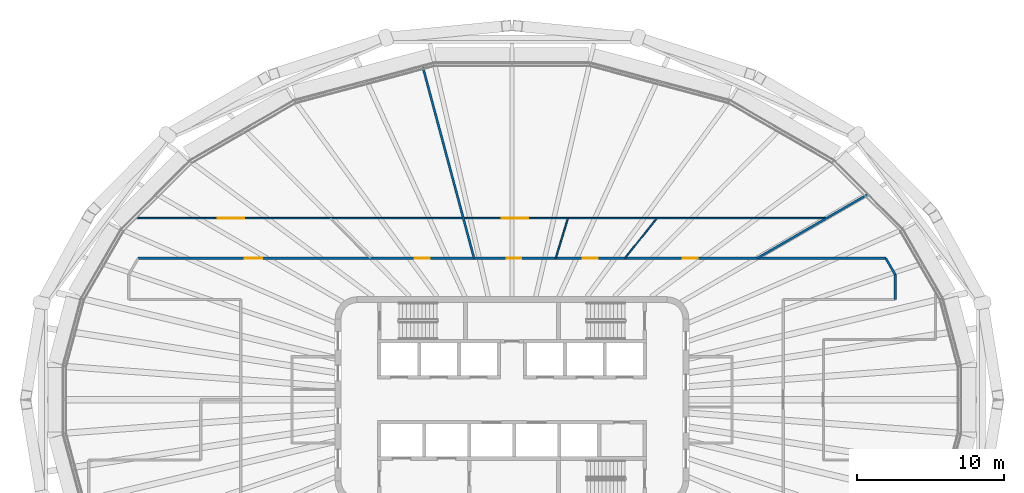
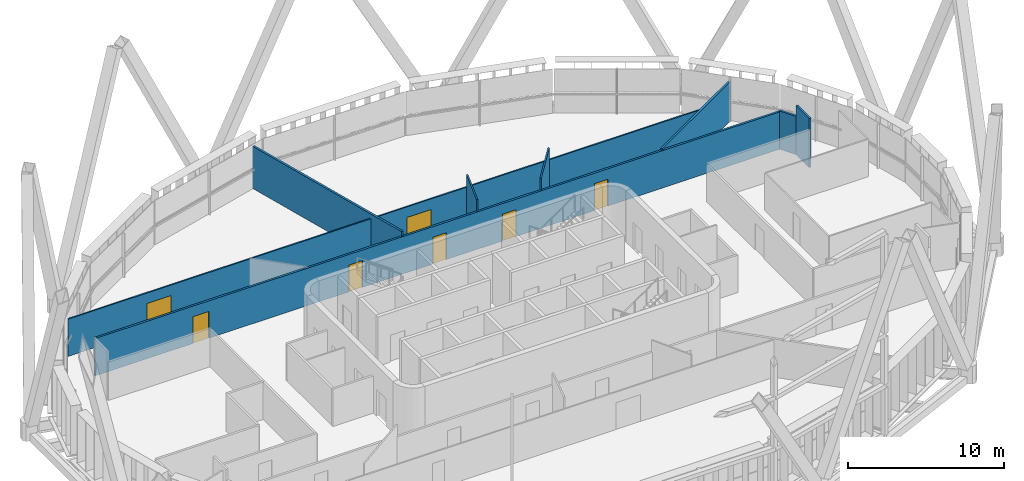
# One storey, part 15 of 22: 8 walls, 7 doors, 7 openings.
"""IFC4 building model written with IfcOpenShell, lengths in metres."""

from ifc_helpers import new_model, si_unit, direction, frame, frame_2d, origin, place, context, subcontext, project, spatial, rectangle, extrude, material, layer, layer_set, type_object, element, fill, save


model = new_model("IFC4")

# Units and contexts
model_context = context("Model", 3, precision=1e-05, world=origin(), true_north=direction((0.0, 1.0)))
body_context = subcontext(model_context, "Body", "Model", "MODEL_VIEW")
ifc_project = project(units=[si_unit("LENGTHUNIT", "METRE"), si_unit("AREAUNIT", "SQUARE_METRE"), si_unit("VOLUMEUNIT", "CUBIC_METRE"), si_unit("PLANEANGLEUNIT", "RADIAN"), si_unit("MASSUNIT", "GRAM", prefix="KILO")], contexts=[model_context])

# Site, building, storey
site_placement = place(None, origin())
site = spatial("IfcSite", under=ifc_project, at=site_placement, CompositionType="ELEMENT")
building_placement = place(site_placement, origin())
building = spatial("IfcBuilding", under=site, at=building_placement, Name="Sahrelin Media Tower", CompositionType="ELEMENT")
storey_placement = place(building_placement, frame((0.0, 0.0, 233.60009765625)))
storey = spatial("IfcBuildingStorey", under=building, at=storey_placement, Name="L50", CompositionType="ELEMENT", Elevation=233.60009765625)

# Walls
ifc_material_1 = material(Name="Fire-rated gypsum board partition")
ifc_layer_1 = layer(ifc_material_1, 0.14990234375)
ifc_layer_set_1 = layer_set([ifc_layer_1], Name="Fire-rated partition 150")
wall_type_1 = type_object("IfcWallType", Name="Fire-rated partition 150", PredefinedType="PARTITIONING", material=ifc_layer_set_1)
wall_1_placement = place(storey_placement, frame((-6.071044921875, 22.656982421875, 0.0), z_axis=(0.0, 0.0, 1.0), x_axis=(0.258866383335, -0.965913140805, 0.0)))
element("IfcWall", 1, at=wall_1_placement, inside=storey, type_object=wall_type_1, Name="Wall", PredefinedType="PARTITIONING", context=body_context, shape_type="SweptSolid", body=[
    extrude(rectangle(XDim=13.517578125, YDim=0.14990234375, at=frame_2d((6.7587890625, 0.0))), origin(), (0.0, 0.0, 1.0), 3.301513671875),
])
wall_2_placement = place(storey_placement, frame((25.361083984375, 9.60009765625, 0.0), z_axis=(0.0, 0.0, 1.0), x_axis=(0.499816142895, -0.866131527715, 0.0)))
element("IfcWall", 2, at=wall_2_placement, inside=storey, type_object=wall_type_1, Name="Wall", PredefinedType="PARTITIONING", context=body_context, shape_type="SweptSolid", body=[
    extrude(rectangle(XDim=1.2783203125, YDim=0.14990234375, at=frame_2d((0.63916015625, 0.0))), origin(), (0.0, 0.0, 1.0), 2.994873046875),
])

# Wall, openings, doors
wall_3_placement = place(storey_placement, frame((-25.360107421875, 9.60009765625, 0.0), z_axis=(0.0, 0.0, 1.0), x_axis=(1.0, 0.0, 0.0)))
wall_3 = element("IfcWall", 3, at=wall_3_placement, inside=storey, type_object=wall_type_1, Name="Wall", PredefinedType="PARTITIONING", context=body_context, shape_type="SweptSolid", body=[
    extrude(rectangle(XDim=50.72119140625, YDim=0.14990234375, at=frame_2d((25.360595703125, 0.0))), origin(), (0.0, 0.0, 1.0), 2.927001953125),
])
opening_1_placement = place(wall_3_placement, frame((36.951416015625, 0.0, 0.0)))
opening_1 = element("IfcOpeningElement", 4, at=opening_1_placement, cuts=wall_3, Name="Opening L50-D23", PredefinedType="OPENING", context=body_context, shape_type="SweptSolid", body=[
    extrude(rectangle(XDim=1.0, YDim=2.10009765625, at=frame_2d((0.5, 1.050048828125))), frame((0.0, 0.074951171875, 0.0), z_axis=(0.0, -1.0, 0.0), x_axis=(1.0, 0.0, 0.0)), (0.0, 0.0, 1.0), 0.14990234375),
])
opening_2_placement = place(wall_3_placement, frame((30.16845703125, 0.0, 0.0)))
opening_2 = element("IfcOpeningElement", 5, at=opening_2_placement, cuts=wall_3, Name="Opening L50-D24", PredefinedType="OPENING", context=body_context, shape_type="SweptSolid", body=[
    extrude(rectangle(XDim=1.0, YDim=2.10009765625, at=frame_2d((0.5, 1.050048828125))), frame((0.0, 0.074951171875, 0.0), z_axis=(0.0, -1.0, 0.0), x_axis=(1.0, 0.0, 0.0)), (0.0, 0.0, 1.0), 0.14990234375),
])
opening_3_placement = place(wall_3_placement, frame((25.00390625, 0.0, 0.0)))
opening_3 = element("IfcOpeningElement", 6, at=opening_3_placement, cuts=wall_3, Name="Opening L50-D25", PredefinedType="OPENING", context=body_context, shape_type="SweptSolid", body=[
    extrude(rectangle(XDim=1.0, YDim=2.10009765625, at=frame_2d((0.5, 1.050048828125))), frame((0.0, 0.074951171875, 0.0), z_axis=(0.0, -1.0, 0.0), x_axis=(1.0, 0.0, 0.0)), (0.0, 0.0, 1.0), 0.14990234375),
])
opening_4_placement = place(wall_3_placement, frame((18.77392578125, 0.0, 0.0)))
opening_4 = element("IfcOpeningElement", 7, at=opening_4_placement, cuts=wall_3, Name="Opening L50-D27", PredefinedType="OPENING", context=body_context, shape_type="SweptSolid", body=[
    extrude(rectangle(XDim=1.0, YDim=2.10009765625, at=frame_2d((0.5, 1.050048828125))), frame((0.0, 0.074951171875, 0.0), z_axis=(0.0, -1.0, 0.0), x_axis=(1.0, 0.0, 0.0)), (0.0, 0.0, 1.0), 0.14990234375),
])
opening_5_placement = place(wall_3_placement, frame((7.229736328125, 0.0, 0.0)))
opening_5 = element("IfcOpeningElement", 8, at=opening_5_placement, cuts=wall_3, Name="Opening L50-D28", PredefinedType="OPENING", context=body_context, shape_type="SweptSolid", body=[
    extrude(rectangle(XDim=1.199951171875, YDim=2.10009765625, at=frame_2d((0.60009765625, 1.050048828125))), frame((0.0, 0.074951171875, 0.0), z_axis=(0.0, -1.0, 0.0), x_axis=(1.0, 0.0, 0.0)), (0.0, 0.0, 1.0), 0.14990234375),
])
ifc_material_2 = material(Name="Steel fire door leaf", Category="steel")
door_type_1 = type_object("IfcDoorType", Name="Fire door 1000 x 2100 EI 60", OperationType="NOTDEFINED", PredefinedType="DOOR", material=ifc_material_2)
door_1_placement = place(opening_1_placement, origin())
door_1 = element("IfcDoor", 9, at=door_1_placement, inside=storey, type_object=door_type_1, Name="Fire door", OperationType="SINGLE_SWING_RIGHT", OverallHeight=2.10009765625, OverallWidth=1.0, PredefinedType="DOOR", context=body_context, shape_type="SweptSolid", body=[
    extrude(rectangle(XDim=1.0, YDim=2.10009765625, at=frame_2d((0.5, 1.050048828125))), frame((0.0, 0.02490234375, 0.0), z_axis=(0.0, -1.0, 0.0), x_axis=(1.0, 0.0, 0.0)), (0.0, 0.0, 1.0), 0.050048828125),
])
fill(opening_1, door_1)
door_2_placement = place(opening_2_placement, origin())
door_2 = element("IfcDoor", 10, at=door_2_placement, inside=storey, type_object=door_type_1, Name="Fire door", OperationType="SINGLE_SWING_RIGHT", OverallHeight=2.10009765625, OverallWidth=1.0, PredefinedType="DOOR", context=body_context, shape_type="SweptSolid", body=[
    extrude(rectangle(XDim=1.0, YDim=2.10009765625, at=frame_2d((0.5, 1.050048828125))), frame((0.0, 0.02490234375, 0.0), z_axis=(0.0, -1.0, 0.0), x_axis=(1.0, 0.0, 0.0)), (0.0, 0.0, 1.0), 0.050048828125),
])
fill(opening_2, door_2)
door_3_placement = place(opening_3_placement, origin())
door_3 = element("IfcDoor", 11, at=door_3_placement, inside=storey, type_object=door_type_1, Name="Fire door", OperationType="SINGLE_SWING_LEFT", OverallHeight=2.10009765625, OverallWidth=1.0, PredefinedType="DOOR", context=body_context, shape_type="SweptSolid", body=[
    extrude(rectangle(XDim=1.0, YDim=2.10009765625, at=frame_2d((0.5, 1.050048828125))), frame((0.0, 0.02490234375, 0.0), z_axis=(0.0, -1.0, 0.0), x_axis=(1.0, 0.0, 0.0)), (0.0, 0.0, 1.0), 0.050048828125),
])
fill(opening_3, door_3)
door_4_placement = place(opening_4_placement, origin())
door_4 = element("IfcDoor", 12, at=door_4_placement, inside=storey, type_object=door_type_1, Name="Fire door", OperationType="SINGLE_SWING_RIGHT", OverallHeight=2.10009765625, OverallWidth=1.0, PredefinedType="DOOR", context=body_context, shape_type="SweptSolid", body=[
    extrude(rectangle(XDim=1.0, YDim=2.10009765625, at=frame_2d((0.5, 1.050048828125))), frame((0.0, 0.02490234375, 0.0), z_axis=(0.0, -1.0, 0.0), x_axis=(1.0, 0.0, 0.0)), (0.0, 0.0, 1.0), 0.050048828125),
])
fill(opening_4, door_4)
door_type_2 = type_object("IfcDoorType", Name="Service double door 1200 x 2100 EI 60", OperationType="DOUBLE_DOOR_SINGLE_SWING", PredefinedType="DOOR", material=ifc_material_2)
door_5_placement = place(opening_5_placement, origin())
door_5 = element("IfcDoor", 13, at=door_5_placement, inside=storey, type_object=door_type_2, Name="Service double door", OperationType="DOUBLE_DOOR_SINGLE_SWING", OverallHeight=2.10009765625, OverallWidth=1.199951171875, PredefinedType="DOOR", context=body_context, shape_type="SweptSolid", body=[
    extrude(rectangle(XDim=1.199951171875, YDim=2.10009765625, at=frame_2d((0.60009765625, 1.050048828125))), frame((0.0, 0.02490234375, 0.0), z_axis=(0.0, -1.0, 0.0), x_axis=(1.0, 0.0, 0.0)), (0.0, 0.0, 1.0), 0.050048828125),
])
fill(opening_5, door_5)

# Walls
wall_4_placement = place(storey_placement, frame((16.6279296875, 9.60009765625, 0.0), z_axis=(0.0, 0.0, 1.0), x_axis=(0.866056969008, 0.499945323442, 0.0)))
element("IfcWall", 14, at=wall_4_placement, inside=storey, type_object=wall_type_1, Name="Wall", PredefinedType="PARTITIONING", context=body_context, shape_type="SweptSolid", body=[
    extrude(rectangle(XDim=8.6923828125, YDim=0.14990234375, at=frame_2d((4.34619140625, 0.0))), origin(), (0.0, 0.0, 1.0), 3.075927734375),
])
wall_5_placement = place(storey_placement, frame((26.0, 6.800048828125, 0.0), z_axis=(0.0, 0.0, 1.0), x_axis=(0.0, 1.0, 0.0)))
element("IfcWall", 15, at=wall_5_placement, inside=storey, type_object=wall_type_1, Name="Wall", PredefinedType="PARTITIONING", context=body_context, shape_type="SweptSolid", body=[
    extrude(rectangle(XDim=1.69287109375, YDim=0.14990234375, at=frame_2d((0.846435546875, 0.0))), origin(), (0.0, 0.0, 1.0), 3.849853515625),
])

# Wall, openings, doors
ifc_material_3 = material(Name="Gypsum board partition")
ifc_layer_2 = layer(ifc_material_3, 0.10009765625)
ifc_layer_set_2 = layer_set([ifc_layer_2], Name="Partition 100")
wall_type_2 = type_object("IfcWallType", Name="Partition 100", PredefinedType="PARTITIONING", material=ifc_layer_set_2)
wall_6_placement = place(storey_placement, frame((-25.781005859375, 12.320068359375, 0.0), z_axis=(0.0, 0.0, 1.0), x_axis=(1.0, 0.0, 0.0)))
wall_6 = element("IfcWall", 16, at=wall_6_placement, inside=storey, type_object=wall_type_2, Name="Wall", PredefinedType="PARTITIONING", context=body_context, shape_type="SweptSolid", body=[
    extrude(rectangle(XDim=47.1201171875, YDim=0.10009765625, at=frame_2d((23.56005859375, 0.0))), origin(), (0.0, 0.0, 1.0), 2.927001953125),
])
opening_6_placement = place(wall_6_placement, frame((25.08056640625, 0.0, 0.0)))
opening_6 = element("IfcOpeningElement", 17, at=opening_6_placement, cuts=wall_6, Name="Opening L50-D26", PredefinedType="OPENING", context=body_context, shape_type="SweptSolid", body=[
    extrude(rectangle(XDim=1.800048828125, YDim=2.10009765625, at=frame_2d((0.89990234375, 1.050048828125))), frame((0.0, 0.050048828125, 0.0), z_axis=(0.0, -1.0, 0.0), x_axis=(1.0, 0.0, 0.0)), (0.0, 0.0, 1.0), 0.10009765625),
])
opening_7_placement = place(wall_6_placement, frame((5.83056640625, 0.0, 0.0)))
opening_7 = element("IfcOpeningElement", 18, at=opening_7_placement, cuts=wall_6, Name="Opening L50-D29", PredefinedType="OPENING", context=body_context, shape_type="SweptSolid", body=[
    extrude(rectangle(XDim=1.800048828125, YDim=2.10009765625, at=frame_2d((0.89990234375, 1.050048828125))), frame((0.0, 0.050048828125, 0.0), z_axis=(0.0, -1.0, 0.0), x_axis=(1.0, 0.0, 0.0)), (0.0, 0.0, 1.0), 0.10009765625),
])
ifc_material_4 = material(Name="Timber door leaf", Category="wood")
door_type_3 = type_object("IfcDoorType", Name="Double door 1800 x 2100", OperationType="DOUBLE_DOOR_SINGLE_SWING", PredefinedType="DOOR", material=ifc_material_4)
door_6_placement = place(opening_6_placement, origin())
door_6 = element("IfcDoor", 19, at=door_6_placement, inside=storey, type_object=door_type_3, Name="Double door", OperationType="DOUBLE_DOOR_SINGLE_SWING", OverallHeight=2.10009765625, OverallWidth=1.800048828125, PredefinedType="DOOR", context=body_context, shape_type="SweptSolid", body=[
    extrude(rectangle(XDim=1.800048828125, YDim=2.10009765625, at=frame_2d((0.89990234375, 1.050048828125))), frame((0.0, 0.02490234375, 0.0), z_axis=(0.0, -1.0, 0.0), x_axis=(1.0, 0.0, 0.0)), (0.0, 0.0, 1.0), 0.050048828125),
])
fill(opening_6, door_6)
door_7_placement = place(opening_7_placement, origin())
door_7 = element("IfcDoor", 20, at=door_7_placement, inside=storey, type_object=door_type_3, Name="Double door", OperationType="DOUBLE_DOOR_SINGLE_SWING", OverallHeight=2.10009765625, OverallWidth=1.800048828125, PredefinedType="DOOR", context=body_context, shape_type="SweptSolid", body=[
    extrude(rectangle(XDim=1.800048828125, YDim=2.10009765625, at=frame_2d((0.89990234375, 1.050048828125))), frame((0.0, 0.02490234375, 0.0), z_axis=(0.0, -1.0, 0.0), x_axis=(1.0, 0.0, 0.0)), (0.0, 0.0, 1.0), 0.050048828125),
])
fill(opening_7, door_7)

# Walls
wall_7_placement = place(storey_placement, frame((7.656005859375, 9.60009765625, 0.0), z_axis=(0.0, 0.0, 1.0), x_axis=(0.623461874371, 0.78185375308, 0.0)))
element("IfcWall", 21, at=wall_7_placement, inside=storey, type_object=wall_type_2, Name="Wall", PredefinedType="PARTITIONING", context=body_context, shape_type="SweptSolid", body=[
    extrude(rectangle(XDim=3.478759765625, YDim=0.10009765625, at=frame_2d((1.7392578125, 0.0))), origin(), (0.0, 0.0, 1.0), 3.849853515625),
])
wall_8_placement = place(storey_placement, frame((2.9609375, 9.60009765625, 0.0), z_axis=(0.0, 0.0, 1.0), x_axis=(0.294790935958, 0.955561774077, 0.0)))
element("IfcWall", 22, at=wall_8_placement, inside=storey, type_object=wall_type_2, Name="Wall", PredefinedType="PARTITIONING", context=body_context, shape_type="SweptSolid", body=[
    extrude(rectangle(XDim=2.846435546875, YDim=0.10009765625, at=frame_2d((1.42333984375, 0.0))), origin(), (0.0, 0.0, 1.0), 3.849853515625),
])

save(model, "model.ifc")
